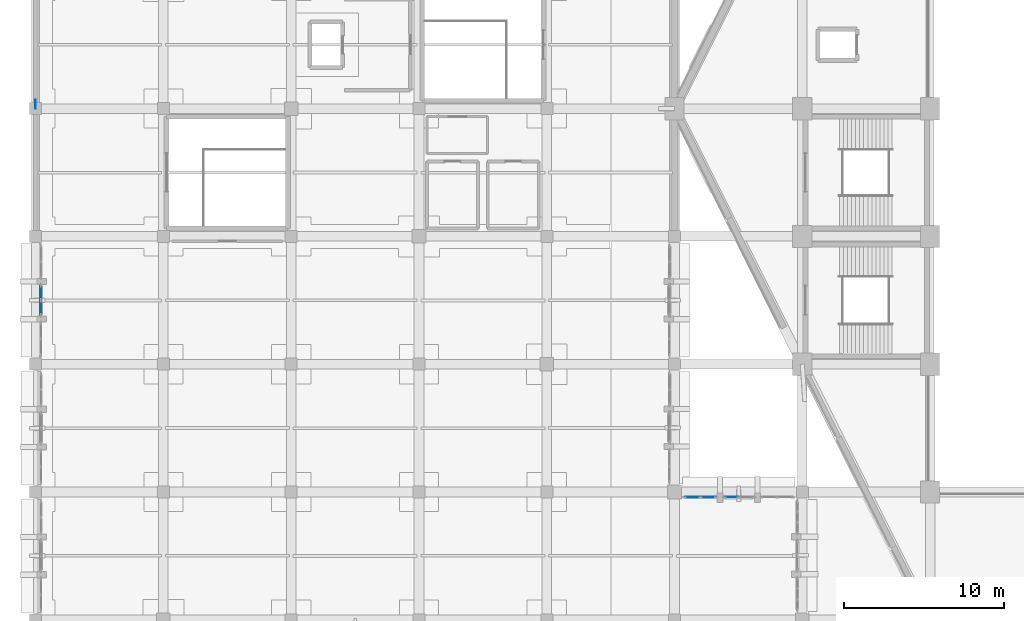
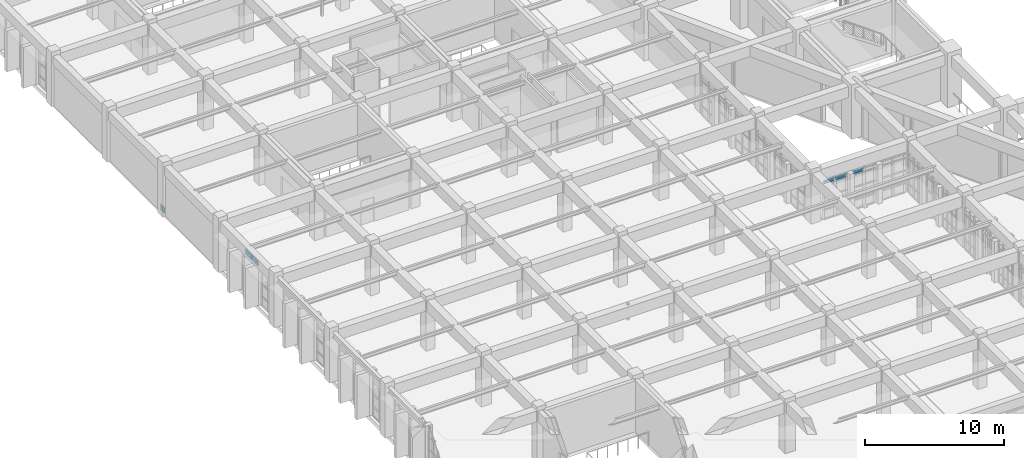
# One storey, part 121 of 155: 6 plates, 3 elements without a shape of their own.
"""IFC4 building model written with IfcOpenShell, lengths in metres."""

from ifc_helpers import new_model, si_unit, direction, frame, origin, origin_2d, place, context, subcontext, project, spatial, rectangle, extrude, material, layer, layer_set, type_object, element, aggregate, save


model = new_model("IFC4")

# Units and contexts
model_context = context("Model", 3, precision=1e-05, world=origin(), true_north=direction((0.0, 1.0)))
body_context = subcontext(model_context, "Body", "Model", "MODEL_VIEW")
ifc_project = project(units=[si_unit("LENGTHUNIT", "METRE"), si_unit("AREAUNIT", "SQUARE_METRE"), si_unit("VOLUMEUNIT", "CUBIC_METRE"), si_unit("PLANEANGLEUNIT", "RADIAN"), si_unit("MASSUNIT", "GRAM", prefix="KILO")], contexts=[model_context])

# Site, building, storey
site_placement = place(None, origin())
site = spatial("IfcSite", under=ifc_project, at=site_placement, CompositionType="ELEMENT")
building_placement = place(site_placement, origin())
building = spatial("IfcBuilding", under=site, at=building_placement, Name="Tazarka Park Arena", CompositionType="ELEMENT")
storey_placement = place(building_placement, frame((0.0, 0.0, 5.39990234375)))
storey = spatial("IfcBuildingStorey", under=building, at=storey_placement, Name="L01", CompositionType="ELEMENT", Elevation=5.39990234375)

# Curtain wall, plates
ifc_material_1 = material(Name="Aluminium and low-e glass", Category="aluminium")
ifc_layer_1 = layer(ifc_material_1, 0.179931640625, Name="Aluminium and low-e glass")
ifc_layer_set_1 = layer_set([ifc_layer_1], Name="Aluminium and low-e glass")
curtain_wall_type_1 = type_object("IfcCurtainWallType", Name="CW-10", PredefinedType="NOTDEFINED", material=ifc_layer_set_1)
curtain_wall_1_placement = place(storey_placement, origin())
curtain_wall_1 = element("IfcCurtainWall", 1, at=curtain_wall_1_placement, inside=storey, type_object=curtain_wall_type_1, Name="Curtain Wall CWA-L01-100", PredefinedType="NOTDEFINED")
ifc_material_2 = material(Name="Triple acoustic solar glazing", Category="glass")
ifc_layer_2 = layer(ifc_material_2, 0.031982421875, Name="Triple acoustic solar glazing")
ifc_layer_set_2 = layer_set([ifc_layer_2], Name="Triple acoustic solar glazing")
plate_type_1 = type_object("IfcPlateType", Name="CWP-02", PredefinedType="CURTAIN_PANEL", material=ifc_layer_set_2)
plate_1_placement = place(storey_placement, frame((41.13037109375, 39.679931640625, 3.08251953125), z_axis=(0.0, 0.0, 1.0), x_axis=(1.0, 0.0, 0.0)))
plate_1 = element("IfcPlate", 2, at=plate_1_placement, type_object=plate_type_1, Name="CW-10 panel 1.4", PredefinedType="CURTAIN_PANEL", context=body_context, shape_type="SweptSolid", body=[
    extrude(rectangle(XDim=0.9208984375, YDim=0.031982421875, at=origin_2d()), origin(), (0.0, 0.0, 1.0), 0.302490234375),
])
plate_2_placement = place(storey_placement, frame((42.1162109375, 39.679931640625, 3.08251953125), z_axis=(0.0, 0.0, 1.0), x_axis=(1.0, 0.0, 0.0)))
plate_2 = element("IfcPlate", 3, at=plate_2_placement, type_object=plate_type_1, Name="CW-10 panel 2.4", PredefinedType="CURTAIN_PANEL", context=body_context, shape_type="SweptSolid", body=[
    extrude(rectangle(XDim=0.9208984375, YDim=0.031982421875, at=origin_2d()), origin(), (0.0, 0.0, 1.0), 0.302490234375),
])
aggregate(curtain_wall_1, [plate_1, plate_2])

# Curtain wall, plate
ifc_material_3 = material(Name="Aluminium and low-e glass", Category="aluminium")
ifc_layer_3 = layer(ifc_material_3, 0.179931640625, Name="Aluminium and low-e glass")
ifc_layer_set_3 = layer_set([ifc_layer_3], Name="Aluminium and low-e glass")
curtain_wall_type_2 = type_object("IfcCurtainWallType", Name="CW-11", PredefinedType="NOTDEFINED", material=ifc_layer_set_3)
curtain_wall_2_placement = place(storey_placement, origin())
curtain_wall_2 = element("IfcCurtainWall", 4, at=curtain_wall_2_placement, inside=storey, type_object=curtain_wall_type_2, Name="Curtain Wall CWA-L01-101", PredefinedType="NOTDEFINED")
ifc_material_4 = material(Name="Insulated aluminium spandrel panel", Category="aluminium")
ifc_layer_4 = layer(ifc_material_4, 0.035888671875, Name="Insulated aluminium spandrel panel")
ifc_layer_set_4 = layer_set([ifc_layer_4], Name="Insulated aluminium spandrel panel")
plate_type_2 = type_object("IfcPlateType", Name="CWP-03", PredefinedType="CURTAIN_PANEL", material=ifc_layer_set_4)
plate_3_placement = place(storey_placement, frame((43.56201171875, 39.679931640625, 3.087646484375), z_axis=(0.0, 0.0, 1.0), x_axis=(1.0, 0.0, 0.0)))
plate_3 = element("IfcPlate", 5, at=plate_3_placement, type_object=plate_type_2, Name="CW-11 panel 1.4", PredefinedType="CURTAIN_PANEL", context=body_context, shape_type="SweptSolid", body=[
    extrude(rectangle(XDim=0.850830078125, YDim=0.035888671875, at=origin_2d()), origin(), (0.0, 0.0, 1.0), 0.28759765625),
])
aggregate(curtain_wall_2, [plate_3])

# Curtain wall, plates
ifc_material_5 = material(Name="Aluminium and low-e glass", Category="aluminium")
ifc_layer_5 = layer(ifc_material_5, 0.179931640625, Name="Aluminium and low-e glass")
ifc_layer_set_5 = layer_set([ifc_layer_5], Name="Aluminium and low-e glass")
curtain_wall_type_3 = type_object("IfcCurtainWallType", Name="CW-20", PredefinedType="NOTDEFINED", material=ifc_layer_set_5)
curtain_wall_3_placement = place(storey_placement, origin())
curtain_wall_3 = element("IfcCurtainWall", 6, at=curtain_wall_3_placement, inside=storey, type_object=curtain_wall_type_3, Name="Curtain Wall CWA-L01-140", PredefinedType="NOTDEFINED")
plate_4_placement = place(storey_placement, frame((0.320068359375, 51.532958984375, 3.087646484375), z_axis=(0.0, 0.0, 1.0), x_axis=(0.0, 1.0, 0.0)))
plate_4 = element("IfcPlate", 7, at=plate_4_placement, type_object=plate_type_2, Name="CW-20 panel 1.4", PredefinedType="CURTAIN_PANEL", context=body_context, shape_type="SweptSolid", body=[
    extrude(rectangle(XDim=0.859130859375, YDim=0.035888671875, at=origin_2d()), origin(), (0.0, 0.0, 1.0), 0.4375),
])
plate_5_placement = place(storey_placement, frame((0.320068359375, 52.467041015625, 3.087646484375), z_axis=(0.0, 0.0, 1.0), x_axis=(0.0, 1.0, 0.0)))
plate_5 = element("IfcPlate", 8, at=plate_5_placement, type_object=plate_type_2, Name="CW-20 panel 2.4", PredefinedType="CURTAIN_PANEL", context=body_context, shape_type="SweptSolid", body=[
    extrude(rectangle(XDim=0.859130859375, YDim=0.035888671875, at=origin_2d()), origin(), (0.0, 0.0, 1.0), 0.4375),
])
aggregate(curtain_wall_3, [plate_4, plate_5])

# Plate
ifc_material_6 = material(Name="Steel S460", Category="steel")
ifc_layer_6 = layer(ifc_material_6, 0.035888671875, Name="Steel S460")
ifc_layer_set_6 = layer_set([ifc_layer_6], Name="Steel S460")
plate_type_3 = type_object("IfcPlateType", Name="PLT-PL-11", PredefinedType="USERDEFINED", material=ifc_layer_set_6)
plate_6_placement = place(storey_placement, frame((0.0, 64.280029296875, -0.010009765625), z_axis=(0.0, 0.0, 1.0), x_axis=(1.0, 0.0, 0.0)))
element("IfcPlate", 9, at=plate_6_placement, inside=storey, type_object=plate_type_3, Name="BRP-L01-00-1", ObjectType="STIFFENER", PredefinedType="USERDEFINED", context=body_context, shape_type="SweptSolid", body=[
    extrude(rectangle(XDim=0.035888671875, YDim=0.580078125, at=origin_2d()), origin(), (0.0, 0.0, 1.0), 0.52001953125),
])

save(model, "model.ifc")
